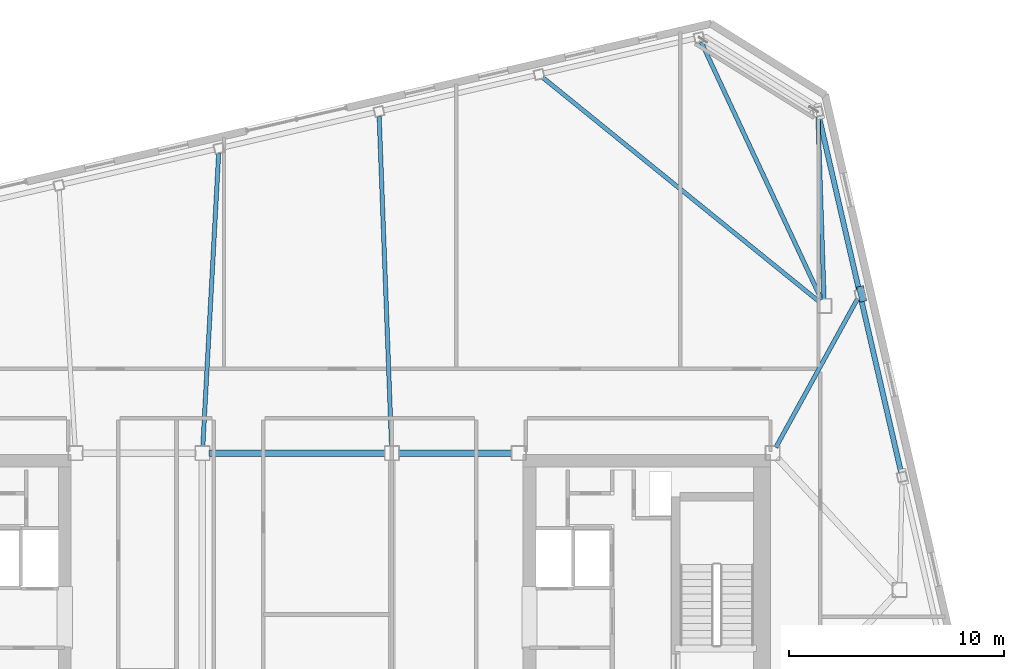
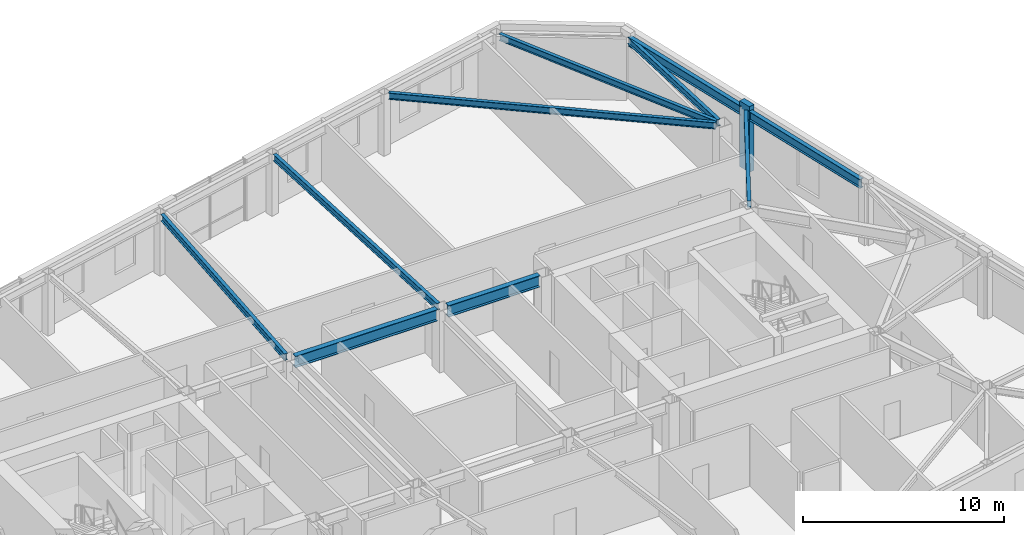
# One storey, part 13 of 23: 10 beams, 1 member.
"""IFC4 building model written with IfcOpenShell, lengths in metres."""

from ifc_helpers import new_model, si_unit, direction, frame, origin, origin_2d, place, context, subcontext, project, spatial, rectangle, i_section, extrude, material, material_profile, profile_set, type_object, element, save


model = new_model("IFC4")

# Units and contexts
model_context = context("Model", 3, precision=1e-05, world=origin(), true_north=direction((0.0, 1.0)))
body_context = subcontext(model_context, "Body", "Model", "MODEL_VIEW")
ifc_project = project(units=[si_unit("LENGTHUNIT", "METRE"), si_unit("AREAUNIT", "SQUARE_METRE"), si_unit("VOLUMEUNIT", "CUBIC_METRE"), si_unit("PLANEANGLEUNIT", "RADIAN"), si_unit("MASSUNIT", "GRAM", prefix="KILO")], contexts=[model_context])

# Site, building, storey
site_placement = place(None, origin())
site = spatial("IfcSite", under=ifc_project, at=site_placement, CompositionType="ELEMENT")
building_placement = place(site_placement, origin())
building = spatial("IfcBuilding", under=site, at=building_placement, Name="Tavrogorsk Clinical Tower", CompositionType="ELEMENT")
storey_placement = place(building_placement, frame((0.0, 0.0, 293.0)))
storey = spatial("IfcBuildingStorey", under=building, at=storey_placement, Name="L68", CompositionType="ELEMENT", Elevation=293.0)

# Beams
ifc_material_1 = material(Name="Structural steel S355", Category="steel")
ifc_material_profile_1 = material_profile(ifc_material_1, i_section(OverallWidth=0.199951171875, OverallDepth=0.39990234375, WebThickness=0.010498046875, FlangeThickness=0.01611328125, at=origin_2d()), Name="B-400x200x10.5x16")
ifc_profile_set_1 = profile_set([ifc_material_profile_1], Name="Structural steel S355")
beam_type_1 = type_object("IfcBeamType", Name="FloorBeam_B400", PredefinedType="BEAM", material=ifc_profile_set_1)
beam_1_placement = place(storey_placement, frame((24.368896484375, 13.48095703125, 3.5400390625), z_axis=(-0.422928957087, 0.906162842571, 0.0), x_axis=(-0.906162842571, -0.422928957087, 0.0)))
element("IfcBeam", 1, at=beam_1_placement, inside=storey, type_object=beam_type_1, Name="L68 Radial Floor Beam N1", PredefinedType="BEAM", context=body_context, shape_type="SweptSolid", body=[
    extrude(i_section(OverallWidth=0.199951171875, OverallDepth=0.39990234375, WebThickness=0.010498046875, FlangeThickness=0.01611328125, at=origin_2d()), origin(), (0.0, 0.0, 1.0), 13.214111328125),
])
beam_2_placement = place(storey_placement, frame((24.25927734375, 13.395263671875, 3.5400390625), z_axis=(-0.77675399059, 0.629804126774, 0.0), x_axis=(-0.629804126774, -0.77675399059, 0.0)))
element("IfcBeam", 2, at=beam_2_placement, inside=storey, type_object=beam_type_1, Name="L68 Radial Floor Beam N2", PredefinedType="BEAM", context=body_context, shape_type="SweptSolid", body=[
    extrude(i_section(OverallWidth=0.199951171875, OverallDepth=0.39990234375, WebThickness=0.010498046875, FlangeThickness=0.01611328125, at=origin_2d()), origin(), (0.0, 0.0, 1.0), 16.524169921875),
])
beam_3_placement = place(storey_placement, frame((4.388427734375, 6.65966796875, 3.5400390625), z_axis=(-0.037472270853, 0.999297667823, 0.0), x_axis=(-0.999297667823, -0.037472270853, 0.0)))
element("IfcBeam", 3, at=beam_3_placement, inside=storey, type_object=beam_type_1, Name="L68 Radial Floor Beam N3", PredefinedType="BEAM", context=body_context, shape_type="SweptSolid", body=[
    extrude(i_section(OverallWidth=0.199951171875, OverallDepth=0.39990234375, WebThickness=0.010498046875, FlangeThickness=0.01611328125, at=origin_2d()), origin(), (0.0, 0.0, 1.0), 15.349853515625),
])
beam_4_placement = place(storey_placement, frame((-4.38330078125, 6.65966796875, 3.5400390625), z_axis=(0.053993102157, 0.998541308569, 0.0), x_axis=(-0.998541308569, 0.053993102157, 0.0)))
element("IfcBeam", 4, at=beam_4_placement, inside=storey, type_object=beam_type_1, Name="L68 Radial Floor Beam N4", PredefinedType="BEAM", context=body_context, shape_type="SweptSolid", body=[
    extrude(i_section(OverallWidth=0.199951171875, OverallDepth=0.39990234375, WebThickness=0.010498046875, FlangeThickness=0.01611328125, at=origin_2d()), origin(), (0.0, 0.0, 1.0), 13.64208984375),
])
beam_5_placement = place(storey_placement, frame((22.249267578125, 6.62158203125, 3.5400390625), z_axis=(0.481705874182, 0.876332956574, 0.0), x_axis=(-0.876332956574, 0.481705874182, 0.0)))
element("IfcBeam", 5, at=beam_5_placement, inside=storey, type_object=beam_type_1, Name="L68 Radial Floor Beam E4", PredefinedType="BEAM", context=body_context, shape_type="SweptSolid", body=[
    extrude(i_section(OverallWidth=0.199951171875, OverallDepth=0.39990234375, WebThickness=0.010498046875, FlangeThickness=0.01611328125, at=origin_2d()), origin(), (0.0, 0.0, 1.0), 7.881103515625),
])
beam_6_placement = place(storey_placement, frame((24.48974609375, 13.509765625, 3.5400390625), z_axis=(-0.033421222185, 0.999441354912, 0.0), x_axis=(-0.999441354912, -0.033421222185, 0.0)))
element("IfcBeam", 6, at=beam_6_placement, inside=storey, type_object=beam_type_1, Name="L68 Radial Floor Beam E5", PredefinedType="BEAM", context=body_context, shape_type="SweptSolid", body=[
    extrude(i_section(OverallWidth=0.199951171875, OverallDepth=0.39990234375, WebThickness=0.010498046875, FlangeThickness=0.01611328125, at=origin_2d()), origin(), (0.0, 0.0, 1.0), 8.48095703125),
])

# Member
ifc_material_2 = material(Name="Precast concrete B45 with limestone cladding", Category="masonry")
ifc_material_profile_2 = material_profile(ifc_material_2, rectangle(XDim=0.320068359375, YDim=0.719970703125, at=origin_2d()), Name="LIMESTONE-FIN-320x720")
ifc_profile_set_2 = profile_set([ifc_material_profile_2], Name="Precast concrete B45 with limestone cladding")
member_type = type_object("IfcMemberType", Name="LimestonePleatFin_320x720", PredefinedType="USERDEFINED", material=ifc_profile_set_2)
member_placement = place(storey_placement, frame((26.23583984375, 13.750244140625, 0.0), z_axis=(0.0, 0.0, 1.0), x_axis=(0.974370064785, 0.224951054344, 0.0)))
element("IfcMember", 7, at=member_placement, inside=storey, type_object=member_type, Name="L68 E Pleated Stone Fin 3", ObjectType="FIN", PredefinedType="USERDEFINED", context=body_context, shape_type="SweptSolid", body=[
    extrude(rectangle(XDim=0.320068359375, YDim=0.719970703125, at=origin_2d()), origin(), (0.0, 0.0, 1.0), 4.0),
])

# Beams
ifc_material_3 = material(Name="Structural steel S390", Category="steel")
ifc_material_profile_3 = material_profile(ifc_material_3, i_section(OverallWidth=0.300048828125, OverallDepth=0.699951171875, WebThickness=0.01708984375, FlangeThickness=0.028076171875, at=origin_2d()), Name="B-700x300x17x28")
ifc_profile_set_3 = profile_set([ifc_material_profile_3], Name="Structural steel S390")
beam_type_2 = type_object("IfcBeamType", Name="PrimaryGirder_B700", PredefinedType="USERDEFINED", material=ifc_profile_set_3)
beam_7_placement = place(storey_placement, frame((-4.090087890625, 6.35009765625, 3.389892578125), z_axis=(1.0, 0.0, 0.0), x_axis=(0.0, 1.0, 0.0)))
element("IfcBeam", 8, at=beam_7_placement, inside=storey, type_object=beam_type_2, Name="L68 Primary Spine Girder MG-04", ObjectType="GIRDER", PredefinedType="USERDEFINED", context=body_context, shape_type="SweptSolid", body=[
    extrude(i_section(OverallWidth=0.300048828125, OverallDepth=0.699951171875, WebThickness=0.01708984375, FlangeThickness=0.028076171875, at=origin_2d()), origin(), (0.0, 0.0, 1.0), 8.18017578125),
])
beam_8_placement = place(storey_placement, frame((4.7099609375, 6.35009765625, 3.389892578125), z_axis=(1.0, 0.0, 0.0), x_axis=(0.0, 1.0, 0.0)))
element("IfcBeam", 9, at=beam_8_placement, inside=storey, type_object=beam_type_2, Name="L68 Primary Spine Girder MG-06", ObjectType="GIRDER", PredefinedType="USERDEFINED", context=body_context, shape_type="SweptSolid", body=[
    extrude(i_section(OverallWidth=0.300048828125, OverallDepth=0.699951171875, WebThickness=0.01708984375, FlangeThickness=0.028076171875, at=origin_2d()), origin(), (0.0, 0.0, 1.0), 5.280029296875),
])
ifc_material_4 = material(Name="Structural steel S390", Category="steel")
ifc_material_profile_4 = material_profile(ifc_material_4, i_section(OverallWidth=0.239990234375, OverallDepth=0.550048828125, WebThickness=0.013916015625, FlangeThickness=0.02197265625, at=origin_2d()), Name="B-550x240x14x22")
ifc_profile_set_4 = profile_set([ifc_material_profile_4], Name="Structural steel S390")
beam_type_3 = type_object("IfcBeamType", Name="SpandrelBeam_B550", PredefinedType="SPANDREL", material=ifc_profile_set_4)
beam_9_placement = place(storey_placement, frame((28.06494140625, 5.472412109375, 3.465087890625), z_axis=(-0.224978460613, 0.974363737144, 0.0), x_axis=(-0.974363737144, -0.224978460613, 0.0)))
element("IfcBeam", 10, at=beam_9_placement, inside=storey, type_object=beam_type_3, Name="L68 Perimeter Spandrel E3-E4", PredefinedType="SPANDREL", context=body_context, shape_type="SweptSolid", body=[
    extrude(i_section(OverallWidth=0.239990234375, OverallDepth=0.550048828125, WebThickness=0.013916015625, FlangeThickness=0.02197265625, at=origin_2d()), origin(), (0.0, 0.0, 1.0), 8.244140625),
])
beam_10_placement = place(storey_placement, frame((26.10546875, 13.959228515625, 3.465087890625), z_axis=(-0.224950345141, 0.974370228517, 0.0), x_axis=(-0.974370228517, -0.224950345141, 0.0)))
element("IfcBeam", 11, at=beam_10_placement, inside=storey, type_object=beam_type_3, Name="L68 Perimeter Spandrel E4-E5", PredefinedType="SPANDREL", context=body_context, shape_type="SweptSolid", body=[
    extrude(i_section(OverallWidth=0.239990234375, OverallDepth=0.550048828125, WebThickness=0.013916015625, FlangeThickness=0.02197265625, at=origin_2d()), origin(), (0.0, 0.0, 1.0), 8.243896484375),
])

save(model, "model.ifc")
